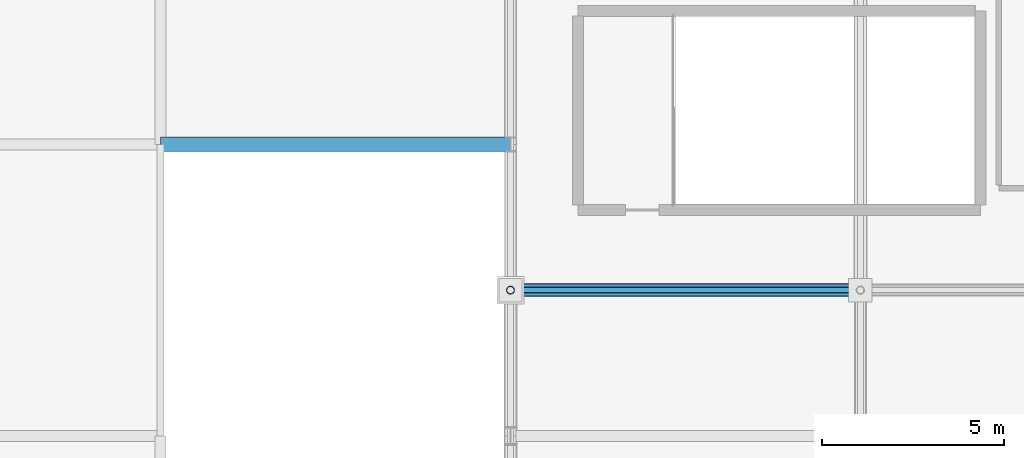
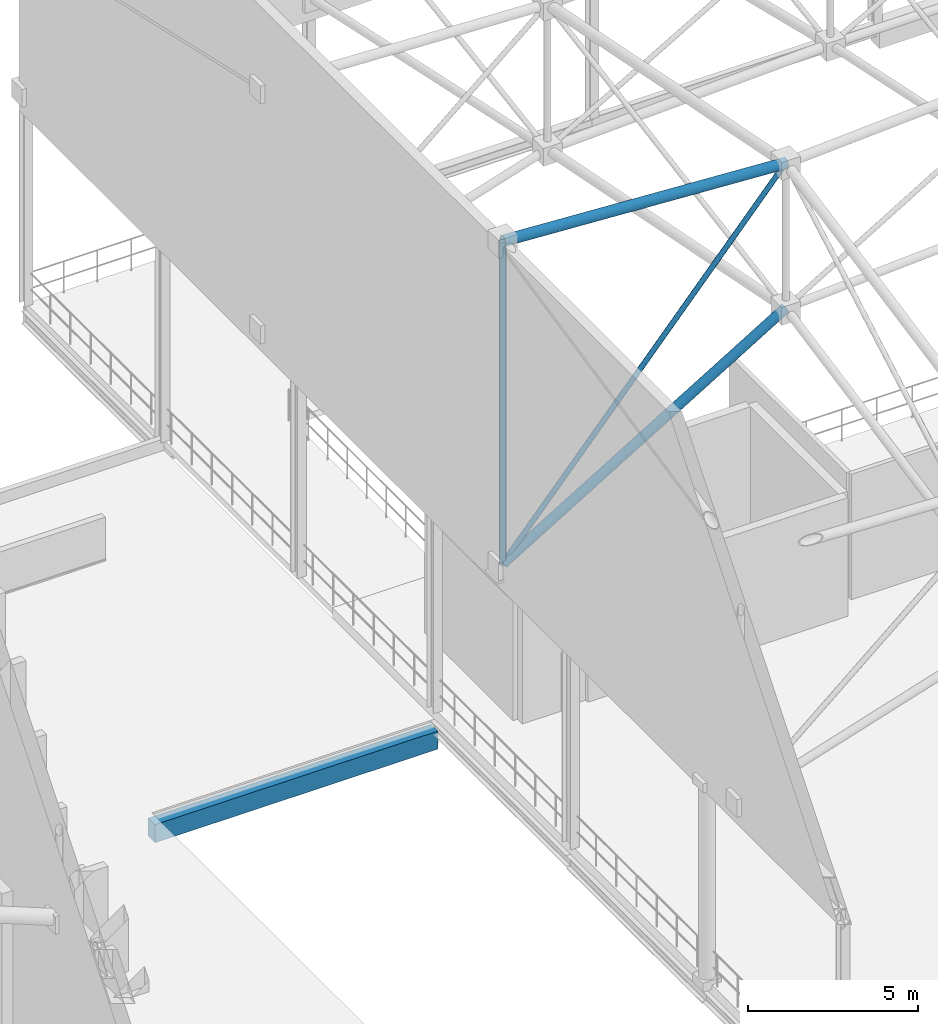
# One storey, part 103 of 193: 4 members, 1 beam.
"""IFC4 building model written with IfcOpenShell, lengths in metres."""

from ifc_helpers import new_model, si_unit, direction, frame, origin, origin_2d, place, context, subcontext, project, spatial, rectangle, hollow_circle, extrude, material, material_profile, profile_set, type_object, element, save


model = new_model("IFC4")

# Units and contexts
model_context = context("Model", 3, precision=1e-05, world=origin(), true_north=direction((0.0, 1.0)))
body_context = subcontext(model_context, "Body", "Model", "MODEL_VIEW")
ifc_project = project(units=[si_unit("LENGTHUNIT", "METRE"), si_unit("AREAUNIT", "SQUARE_METRE"), si_unit("VOLUMEUNIT", "CUBIC_METRE"), si_unit("PLANEANGLEUNIT", "RADIAN"), si_unit("MASSUNIT", "GRAM", prefix="KILO")], contexts=[model_context])

# Site, building, storey
site_placement = place(None, origin())
site = spatial("IfcSite", under=ifc_project, at=site_placement, CompositionType="ELEMENT")
building_placement = place(site_placement, origin())
building = spatial("IfcBuilding", under=site, at=building_placement, Name="Danafjord Basin Convention Centre", CompositionType="ELEMENT")
storey_placement = place(building_placement, frame((0.0, 0.0, 11.39990234375)))
storey = spatial("IfcBuildingStorey", under=building, at=storey_placement, Name="L02", CompositionType="ELEMENT", Elevation=11.39990234375)

# Beam
ifc_material_1 = material(Name="Precast concrete C45/55", Category="concrete")
ifc_material_profile_1 = material_profile(ifc_material_1, rectangle(XDim=0.39990234375, YDim=0.64990234375, at=origin_2d()), Name="PCB 400x650")
ifc_profile_set_1 = profile_set([ifc_material_profile_1], Name="Precast concrete C45/55")
beam_type = type_object("IfcBeamType", Name="BEAM-SP-PCB650", PredefinedType="SPANDREL", material=ifc_profile_set_1)
beam_placement = place(storey_placement, frame((124.800048828125, 120.0, -0.989990234375), z_axis=(1.0, 0.0, 0.0), x_axis=(0.0, 1.0, 0.0)))
element("IfcBeam", 1, at=beam_placement, inside=storey, type_object=beam_type, Name="L02 girder SP-PCB650", PredefinedType="SPANDREL", context=body_context, shape_type="SweptSolid", body=[
    extrude(rectangle(XDim=0.39990234375, YDim=0.64990234375, at=origin_2d()), origin(), (0.0, 0.0, 1.0), 9.599853515625),
])

# Members
ifc_material_2 = material(Name="Steel S355", Category="steel")
ifc_material_profile_2 = material_profile(ifc_material_2, hollow_circle(Radius=0.161865234375, WallThickness=0.01611328125, at=origin_2d()), Name="CHS 323.9x16.0")
ifc_profile_set_2 = profile_set([ifc_material_profile_2], Name="Steel S355")
member_type_1 = type_object("IfcMemberType", Name="MEM-CH-CHS324", PredefinedType="CHORD", material=ifc_profile_set_2)
member_1_placement = place(storey_placement, frame((134.39990234375, 116.0, 7.650146484375), z_axis=(0.855915943369, 0.0, 0.5171149755), x_axis=(0.0, 1.0, 0.0)))
element("IfcMember", 2, at=member_1_placement, inside=storey, type_object=member_type_1, Name="V2 roof truss longitudinal bottom chord", PredefinedType="CHORD", context=body_context, shape_type="SweptSolid", body=[
    extrude(hollow_circle(Radius=0.161865234375, WallThickness=0.01611328125, at=origin_2d()), origin(), (0.0, 0.0, 1.0), 11.216064453125),
])
ifc_material_profile_3 = material_profile(ifc_material_2, hollow_circle(Radius=0.177734375, WallThickness=0.01611328125, at=origin_2d()), Name="CHS 355.6x16.0")
ifc_profile_set_3 = profile_set([ifc_material_profile_3], Name="Steel S355")
member_type_2 = type_object("IfcMemberType", Name="MEM-CH-CHS355", PredefinedType="CHORD", material=ifc_profile_set_3)
member_2_placement = place(storey_placement, frame((134.39990234375, 116.0, 19.212646484375), z_axis=(0.998287828511, 0.0, -0.058492832432), x_axis=(0.0, 1.0, 0.0)))
element("IfcMember", 3, at=member_2_placement, inside=storey, type_object=member_type_2, Name="V2 roof truss longitudinal top chord", PredefinedType="CHORD", context=body_context, shape_type="SweptSolid", body=[
    extrude(hollow_circle(Radius=0.177734375, WallThickness=0.01611328125, at=origin_2d()), origin(), (0.0, 0.0, 1.0), 9.616455078125),
])
ifc_material_profile_4 = material_profile(ifc_material_2, hollow_circle(Radius=0.109619140625, WallThickness=0.010009765625, at=origin_2d()), Name="CHS 219.1x10.0")
ifc_profile_set_4 = profile_set([ifc_material_profile_4], Name="Steel S355")
member_type_3 = type_object("IfcMemberType", Name="MEM-ST-CHS219", PredefinedType="STRUT", material=ifc_profile_set_4)
member_3_placement = place(storey_placement, frame((134.39990234375, 116.0, 7.650146484375), z_axis=(0.0, 0.0, 1.0), x_axis=(1.0, 0.0, 0.0)))
element("IfcMember", 4, at=member_3_placement, inside=storey, type_object=member_type_3, Name="V2 roof truss vertical strut", PredefinedType="STRUT", context=body_context, shape_type="SweptSolid", body=[
    extrude(hollow_circle(Radius=0.109619140625, WallThickness=0.010009765625, at=origin_2d()), origin(), (0.0, 0.0, 1.0), 11.5625),
])
ifc_material_profile_5 = material_profile(ifc_material_2, hollow_circle(Radius=0.084228515625, WallThickness=0.008056640625, at=origin_2d()), Name="CHS 168.3x8.0")
ifc_profile_set_5 = profile_set([ifc_material_profile_5], Name="Steel S355")
member_type_4 = type_object("IfcMemberType", Name="MEM-WB-CHS168", PredefinedType="MEMBER", material=ifc_profile_set_5)
member_4_placement = place(storey_placement, frame((134.39990234375, 116.0, 7.650146484375), z_axis=(0.65753804343, 0.0, 0.753421343899), x_axis=(0.0, 1.0, 0.0)))
element("IfcMember", 5, at=member_4_placement, inside=storey, type_object=member_type_4, Name="V2 space-frame longitudinal web", PredefinedType="MEMBER", context=body_context, shape_type="SweptSolid", body=[
    extrude(hollow_circle(Radius=0.084228515625, WallThickness=0.008056640625, at=origin_2d()), origin(), (0.0, 0.0, 1.0), 14.60009765625),
])

save(model, "model.ifc")
